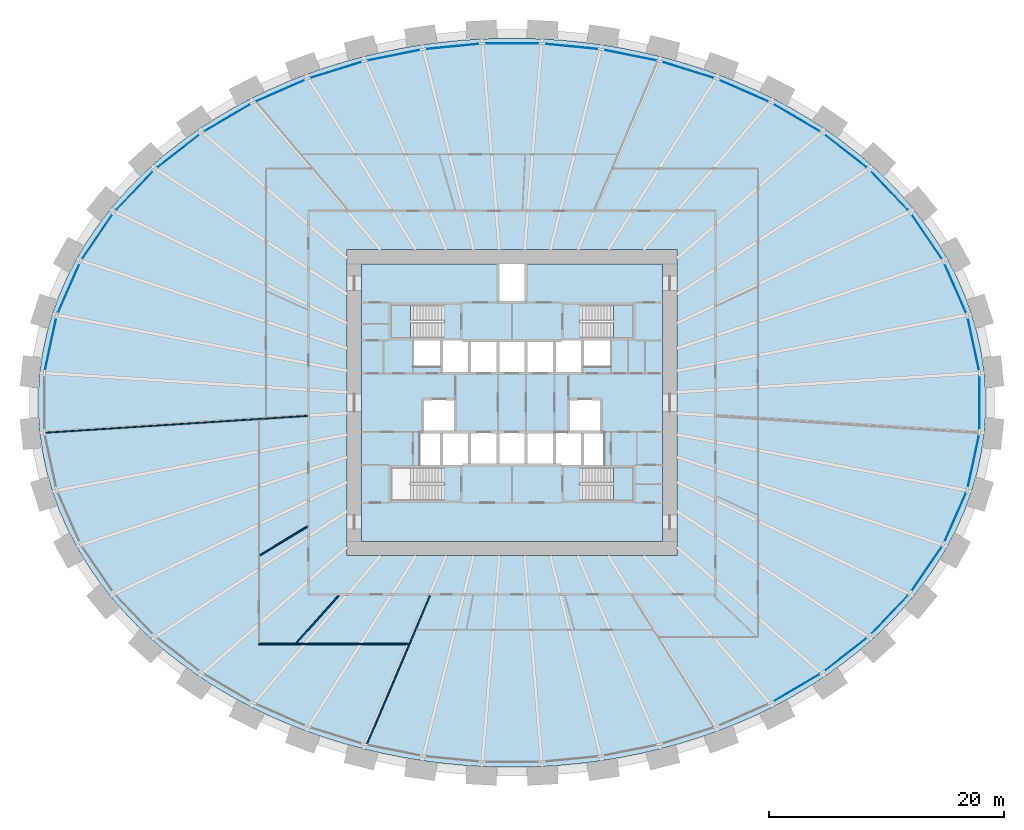
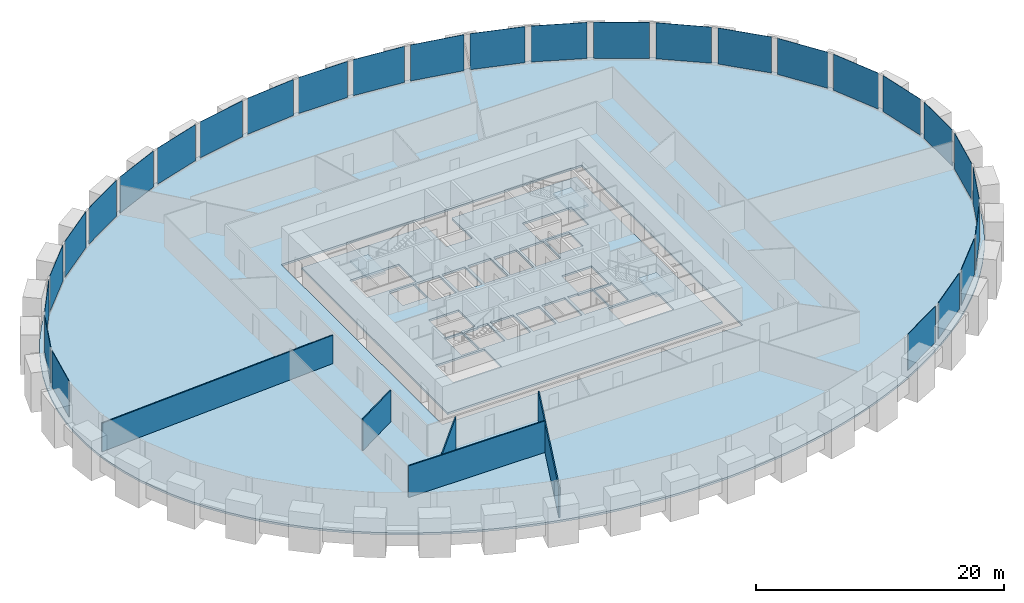
# One storey, part 5 of 10: 28 plates, 5 slabs, 5 walls, 4 elements without a shape of their own.
"""IFC4 building model written with IfcOpenShell, lengths in metres."""

from ifc_helpers import new_model, si_unit, direction, frame, frame_2d, origin, origin_2d, place, context, subcontext, project, spatial, polyline, rectangle, outline, extrude, source, transform, mapped, material, layer, layer_set, type_object, element, aggregate, save


model = new_model("IFC4")

# Units and contexts
model_context = context("Model", 3, precision=1e-05, world=origin(), true_north=direction((0.0, 1.0)))
body_context = subcontext(model_context, "Body", "Model", "MODEL_VIEW")
ifc_project = project(units=[si_unit("LENGTHUNIT", "METRE"), si_unit("AREAUNIT", "SQUARE_METRE"), si_unit("VOLUMEUNIT", "CUBIC_METRE"), si_unit("PLANEANGLEUNIT", "RADIAN"), si_unit("MASSUNIT", "GRAM", prefix="KILO")], contexts=[model_context])

# Site, building, storey
site_placement = place(None, origin())
site = spatial("IfcSite", under=ifc_project, at=site_placement, CompositionType="ELEMENT")
building_placement = place(site_placement, origin())
building = spatial("IfcBuilding", under=site, at=building_placement, Name="Embergate Tower", CompositionType="ELEMENT")
storey_placement = place(building_placement, frame((0.0, 0.0, 81.5)))
storey = spatial("IfcBuildingStorey", under=building, at=storey_placement, Name="L16", CompositionType="ELEMENT", Elevation=81.5)

# Slab
ifc_material_1 = material(Name="Concrete C40", Category="concrete")
ifc_layer_1 = layer(ifc_material_1, 0.199951171875)
ifc_layer_set_1 = layer_set([ifc_layer_1], Name="Concrete C40")
slab_type_1 = type_object("IfcSlabType", Name="Composite floor slab C40 200", PredefinedType="FLOOR", material=ifc_layer_set_1)
shared_shape_1 = source(origin(), body_context, "Body", "SweptSolid", [
    extrude(outline(polyline([(0.0, 0.0), (1.7021484375, 0.0), (3.404052734375, 0.054931640625), (5.10595703125, 0.166015625), (6.801025390625, 0.3330078125), (8.485107421875, 0.554931640625), (10.171142578125, 0.833984375), (11.841064453125, 1.1689453125), (13.489990234375, 1.558837890625), (15.14306640625, 2.010009765625), (16.76904296875, 2.515869140625), (18.364013671875, 3.076904296875), (19.962158203125, 3.704833984375), (21.52197265625, 4.386962890625), (23.041015625, 5.121826171875), (24.55908203125, 5.931884765625), (26.026123046875, 6.794921875), (27.441162109375, 7.708984375), (28.84619140625, 8.705810546875), (30.18798828125, 9.7529296875), (31.464111328125, 10.848876953125), (32.716064453125, 12.033935546875), (33.89111328125, 13.265869140625), (34.985107421875, 14.541015625), (36.03515625, 15.908935546875), (36.9921875, 17.31591796875), (37.85400390625, 18.759033203125), (38.64404296875, 20.286865234375), (39.3271484375, 21.844970703125), (39.902099609375, 23.428955078125), (40.376953125, 25.074951171875), (40.735107421875, 26.73779296875), (40.97412109375, 28.412841796875), (41.09619140625, 30.11181640625), (41.09619140625, 31.81201171875), (40.97412109375, 33.510986328125), (40.735107421875, 35.18603515625), (40.376953125, 36.848876953125), (39.902099609375, 38.494873046875), (39.3271484375, 40.078857421875), (38.64404296875, 41.636962890625), (37.85400390625, 43.164794921875), (36.9921875, 44.60791015625), (36.03515625, 46.014892578125), (34.985107421875, 47.3828125), (33.89111328125, 48.657958984375), (32.716064453125, 49.889892578125), (31.464111328125, 51.074951171875), (30.18798828125, 52.1708984375), (28.84619140625, 53.218017578125), (27.441162109375, 54.21484375), (26.026123046875, 55.12890625), (24.55908203125, 55.991943359375), (23.041015625, 56.802001953125), (21.52197265625, 57.536865234375), (19.962158203125, 58.218994140625), (18.364013671875, 58.846923828125), (16.76904296875, 59.407958984375), (15.14306640625, 59.913818359375), (13.489990234375, 60.364990234375), (11.841064453125, 60.7548828125), (10.171142578125, 61.08984375), (8.485107421875, 61.368896484375), (6.801025390625, 61.5908203125), (5.10595703125, 61.7578125), (3.404052734375, 61.868896484375), (1.7021484375, 61.923828125), (0.0, 61.923828125), (-1.701904296875, 61.868896484375), (-3.40380859375, 61.7578125), (-5.098876953125, 61.5908203125), (-6.782958984375, 61.368896484375), (-8.468994140625, 61.08984375), (-10.138916015625, 60.7548828125), (-11.787841796875, 60.364990234375), (-13.44091796875, 59.913818359375), (-15.06689453125, 59.407958984375), (-16.661865234375, 58.846923828125), (-18.260009765625, 58.218994140625), (-19.81982421875, 57.536865234375), (-21.3388671875, 56.802001953125), (-22.85693359375, 55.991943359375), (-24.323974609375, 55.12890625), (-25.739013671875, 54.21484375), (-27.14404296875, 53.218017578125), (-28.48583984375, 52.1708984375), (-29.761962890625, 51.074951171875), (-31.013916015625, 49.889892578125), (-32.18896484375, 48.657958984375), (-33.282958984375, 47.3828125), (-34.3330078125, 46.014892578125), (-35.2900390625, 44.60791015625), (-36.15185546875, 43.164794921875), (-36.94189453125, 41.636962890625), (-37.625, 40.078857421875), (-38.199951171875, 38.494873046875), (-38.6748046875, 36.848876953125), (-39.032958984375, 35.18603515625), (-39.27197265625, 33.510986328125), (-39.39404296875, 31.81201171875), (-39.39404296875, 30.11181640625), (-39.27197265625, 28.412841796875), (-39.032958984375, 26.73779296875), (-38.6748046875, 25.074951171875), (-38.199951171875, 23.428955078125), (-37.625, 21.844970703125), (-36.94189453125, 20.286865234375), (-36.15185546875, 18.759033203125), (-35.2900390625, 17.31591796875), (-34.3330078125, 15.908935546875), (-33.282958984375, 14.541015625), (-32.18896484375, 13.265869140625), (-31.013916015625, 12.033935546875), (-29.761962890625, 10.848876953125), (-28.48583984375, 9.7529296875), (-27.14404296875, 8.705810546875), (-25.739013671875, 7.708984375), (-24.323974609375, 6.794921875), (-22.85693359375, 5.931884765625), (-21.3388671875, 5.121826171875), (-19.81982421875, 4.386962890625), (-18.260009765625, 3.704833984375), (-16.661865234375, 3.076904296875), (-15.06689453125, 2.515869140625), (-13.44091796875, 2.010009765625), (-11.787841796875, 1.558837890625), (-10.138916015625, 1.1689453125), (-8.468994140625, 0.833984375), (-6.782958984375, 0.554931640625), (-5.098876953125, 0.3330078125), (-3.40380859375, 0.166015625), (-1.701904296875, 0.054931640625), (0.0, 0.0)]), holes=[polyline([(-13.14892578125, 17.9619140625), (-13.14892578125, 43.9619140625), (14.85107421875, 43.9619140625), (14.85107421875, 17.9619140625), (-13.14892578125, 17.9619140625)])]), origin(), (0.0, 0.0, 1.0), 0.199951171875),
])
slab_1_placement = place(storey_placement, frame((-0.85107421875, -30.9619140625, -0.199951171875)))
element("IfcSlab", 1, at=slab_1_placement, inside=storey, type_object=slab_type_1, Name="SLB-L16-00", PredefinedType="FLOOR", context=body_context, shape_type="MappedRepresentation", body=[
    mapped(shared_shape_1, transform((0.0, 0.0, 0.0))),
])

# Curtain wall, plates
ifc_material_2 = material(Name="Aluminium and glass", Category="aluminium")
curtain_wall_type = type_object("IfcCurtainWallType", Name="Recessed office glazing", PredefinedType="NOTDEFINED", material=ifc_material_2)
curtain_wall_placement = place(storey_placement, origin())
curtain_wall = element("IfcCurtainWall", 2, at=curtain_wall_placement, inside=storey, type_object=curtain_wall_type, Name="Recessed office glazing ring", ObjectType="RECESSED OFFICE GLAZING", PredefinedType="USERDEFINED")
ifc_material_3 = material(Name="Triple glazing, low-emissivity coating", Category="glass")
ifc_layer_2 = layer(ifc_material_3, 0.035888671875)
ifc_layer_set_2 = layer_set([ifc_layer_2], Name="Triple glazing, low-emissivity coating")
plate_type = type_object("IfcPlateType", Name="Office glazing unit", PredefinedType="CURTAIN_PANEL", material=ifc_layer_set_2)
shared_shape_2 = source(origin(), body_context, "Body", "SweptSolid", [
    extrude(rectangle(XDim=4.529296875, YDim=0.035888671875, at=origin_2d()), origin(), (0.0, 0.0, 1.0), 3.550048828125),
])
plate_1_placement = place(storey_placement, frame((28.36181640625, 21.376953125, 0.14990234375), z_axis=(0.0, 0.0, 1.0), x_axis=(-0.788321193094, 0.615263924279, 0.0)))
plate_1 = element("IfcPlate", 3, at=plate_1_placement, type_object=plate_type, Name="CW panel 5.1", PredefinedType="CURTAIN_PANEL", context=body_context, shape_type="MappedRepresentation", body=[
    mapped(shared_shape_2, transform((0.0, 0.0, 0.0))),
])
plate_2_placement = place(storey_placement, frame((-28.36181640625, 21.376953125, 0.14990234375), z_axis=(0.0, 0.0, 1.0), x_axis=(-0.788321193094, -0.615263924279, 0.0)))
plate_2 = element("IfcPlate", 4, at=plate_2_placement, type_object=plate_type, Name="CW panel 17.1", PredefinedType="CURTAIN_PANEL", context=body_context, shape_type="MappedRepresentation", body=[
    mapped(shared_shape_2, transform((0.0, 0.0, 0.0))),
])
plate_3_placement = place(storey_placement, frame((28.36181640625, -21.376953125, 0.14990234375), z_axis=(0.0, 0.0, 1.0), x_axis=(0.788321193094, 0.615263924279, 0.0)))
plate_3 = element("IfcPlate", 5, at=plate_3_placement, type_object=plate_type, Name="CW panel 39.1", PredefinedType="CURTAIN_PANEL", context=body_context, shape_type="MappedRepresentation", body=[
    mapped(shared_shape_2, transform((0.0, 0.0, 0.0))),
])
shared_shape_3 = source(origin(), body_context, "Body", "SweptSolid", [
    extrude(rectangle(XDim=4.4970703125, YDim=0.035888671875, at=origin_2d()), origin(), (0.0, 0.0, 1.0), 3.550048828125),
])
plate_4_placement = place(storey_placement, frame((39.2080078125, 4.959716796875, 0.14990234375), z_axis=(0.0, 0.0, 1.0), x_axis=(-0.210398391177, 0.97761573074, 0.0)))
plate_4 = element("IfcPlate", 6, at=plate_4_placement, type_object=plate_type, Name="CW panel 1.1", PredefinedType="CURTAIN_PANEL", context=body_context, shape_type="MappedRepresentation", body=[
    mapped(shared_shape_3, transform((0.0, 0.0, 0.0))),
])
plate_5_placement = place(storey_placement, frame((-39.2080078125, 4.959716796875, 0.14990234375), z_axis=(0.0, 0.0, 1.0), x_axis=(-0.210398391177, -0.97761573074, 0.0)))
plate_5 = element("IfcPlate", 7, at=plate_5_placement, type_object=plate_type, Name="CW panel 21.1", PredefinedType="CURTAIN_PANEL", context=body_context, shape_type="MappedRepresentation", body=[
    mapped(shared_shape_3, transform((0.0, 0.0, 0.0))),
])
plate_6_placement = place(storey_placement, frame((39.2080078125, -4.959716796875, 0.14990234375), z_axis=(0.0, 0.0, 1.0), x_axis=(0.210398391177, 0.97761573074, 0.0)))
plate_6 = element("IfcPlate", 8, at=plate_6_placement, type_object=plate_type, Name="CW panel 43.1", PredefinedType="CURTAIN_PANEL", context=body_context, shape_type="MappedRepresentation", body=[
    mapped(shared_shape_3, transform((0.0, 0.0, 0.0))),
])
shared_shape_4 = source(origin(), body_context, "Body", "SweptSolid", [
    extrude(rectangle(XDim=4.504150390625, YDim=0.035888671875, at=origin_2d()), origin(), (0.0, 0.0, 1.0), 3.550048828125),
])
plate_7_placement = place(storey_placement, frame((37.671142578125, 9.71240234375, 0.14990234375), z_axis=(0.0, 0.0, 1.0), x_axis=(-0.401652101157, 0.91579232888, 0.0)))
plate_7 = element("IfcPlate", 9, at=plate_7_placement, type_object=plate_type, Name="CW panel 2.1", PredefinedType="CURTAIN_PANEL", context=body_context, shape_type="MappedRepresentation", body=[
    mapped(shared_shape_4, transform((0.0, 0.0, 0.0))),
])
plate_8_placement = place(storey_placement, frame((-37.671142578125, 9.71240234375, 0.14990234375), z_axis=(0.0, 0.0, 1.0), x_axis=(-0.401652101157, -0.91579232888, 0.0)))
plate_8 = element("IfcPlate", 10, at=plate_8_placement, type_object=plate_type, Name="CW panel 20.1", PredefinedType="CURTAIN_PANEL", context=body_context, shape_type="MappedRepresentation", body=[
    mapped(shared_shape_4, transform((0.0, 0.0, 0.0))),
])
plate_9_placement = place(storey_placement, frame((37.671142578125, -9.71240234375, 0.14990234375), z_axis=(0.0, 0.0, 1.0), x_axis=(0.401652101157, 0.91579232888, 0.0)))
plate_9 = element("IfcPlate", 11, at=plate_9_placement, type_object=plate_type, Name="CW panel 42.1", PredefinedType="CURTAIN_PANEL", context=body_context, shape_type="MappedRepresentation", body=[
    mapped(shared_shape_4, transform((0.0, 0.0, 0.0))),
])
shared_shape_5 = source(origin(), body_context, "Body", "SweptSolid", [
    extrude(rectangle(XDim=4.51318359375, YDim=0.035888671875, at=origin_2d()), origin(), (0.0, 0.0, 1.0), 3.550048828125),
])
plate_10_placement = place(storey_placement, frame((35.246826171875, 14.093994140625, 0.14990234375), z_axis=(0.0, 0.0, 1.0), x_axis=(-0.562343185136, 0.826903949762, 0.0)))
plate_10 = element("IfcPlate", 12, at=plate_10_placement, type_object=plate_type, Name="CW panel 3.1", PredefinedType="CURTAIN_PANEL", context=body_context, shape_type="MappedRepresentation", body=[
    mapped(shared_shape_5, transform((0.0, 0.0, 0.0))),
])
plate_11_placement = place(storey_placement, frame((-35.246826171875, 14.093994140625, 0.14990234375), z_axis=(0.0, 0.0, 1.0), x_axis=(-0.562343185136, -0.826903949762, 0.0)))
plate_11 = element("IfcPlate", 13, at=plate_11_placement, type_object=plate_type, Name="CW panel 19.1", PredefinedType="CURTAIN_PANEL", context=body_context, shape_type="MappedRepresentation", body=[
    mapped(shared_shape_5, transform((0.0, 0.0, 0.0))),
])
plate_12_placement = place(storey_placement, frame((35.246826171875, -14.093994140625, 0.14990234375), z_axis=(0.0, 0.0, 1.0), x_axis=(0.562343185136, 0.826903949762, 0.0)))
plate_12 = element("IfcPlate", 14, at=plate_12_placement, type_object=plate_type, Name="CW panel 41.1", PredefinedType="CURTAIN_PANEL", context=body_context, shape_type="MappedRepresentation", body=[
    mapped(shared_shape_5, transform((0.0, 0.0, 0.0))),
])
shared_shape_6 = source(origin(), body_context, "Body", "SweptSolid", [
    extrude(rectangle(XDim=4.52197265625, YDim=0.035888671875, at=origin_2d()), origin(), (0.0, 0.0, 1.0), 3.550048828125),
])
plate_13_placement = place(storey_placement, frame((32.092041015625, 17.999267578125, 0.14990234375), z_axis=(0.0, 0.0, 1.0), x_axis=(-0.690135047526, 0.723680603703, 0.0)))
plate_13 = element("IfcPlate", 15, at=plate_13_placement, type_object=plate_type, Name="CW panel 4.1", PredefinedType="CURTAIN_PANEL", context=body_context, shape_type="MappedRepresentation", body=[
    mapped(shared_shape_6, transform((0.0, 0.0, 0.0))),
])
plate_14_placement = place(storey_placement, frame((-32.092041015625, 17.999267578125, 0.14990234375), z_axis=(0.0, 0.0, 1.0), x_axis=(-0.690135047526, -0.723680603703, 0.0)))
plate_14 = element("IfcPlate", 16, at=plate_14_placement, type_object=plate_type, Name="CW panel 18.1", PredefinedType="CURTAIN_PANEL", context=body_context, shape_type="MappedRepresentation", body=[
    mapped(shared_shape_6, transform((0.0, 0.0, 0.0))),
])
plate_15_placement = place(storey_placement, frame((32.092041015625, -17.999267578125, 0.14990234375), z_axis=(0.0, 0.0, 1.0), x_axis=(0.690135047526, 0.723680603703, 0.0)))
plate_15 = element("IfcPlate", 17, at=plate_15_placement, type_object=plate_type, Name="CW panel 40.1", PredefinedType="CURTAIN_PANEL", context=body_context, shape_type="MappedRepresentation", body=[
    mapped(shared_shape_6, transform((0.0, 0.0, 0.0))),
])
shared_shape_7 = source(origin(), body_context, "Body", "SweptSolid", [
    extrude(rectangle(XDim=4.535400390625, YDim=0.035888671875, at=origin_2d()), origin(), (0.0, 0.0, 1.0), 3.550048828125),
])
plate_16_placement = place(storey_placement, frame((24.192626953125, 24.21142578125, 0.14990234375), z_axis=(0.0, 0.0, 1.0), x_axis=(-0.862053167811, 0.50681785275, 0.0)))
plate_16 = element("IfcPlate", 18, at=plate_16_placement, type_object=plate_type, Name="CW panel 6.1", PredefinedType="CURTAIN_PANEL", context=body_context, shape_type="MappedRepresentation", body=[
    mapped(shared_shape_7, transform((0.0, 0.0, 0.0))),
])
plate_17_placement = place(storey_placement, frame((-24.192626953125, 24.21142578125, 0.14990234375), z_axis=(0.0, 0.0, 1.0), x_axis=(-0.862053167811, -0.50681785275, 0.0)))
plate_17 = element("IfcPlate", 19, at=plate_17_placement, type_object=plate_type, Name="CW panel 16.1", PredefinedType="CURTAIN_PANEL", context=body_context, shape_type="MappedRepresentation", body=[
    mapped(shared_shape_7, transform((0.0, 0.0, 0.0))),
])
plate_18_placement = place(storey_placement, frame((24.192626953125, -24.21142578125, 0.14990234375), z_axis=(0.0, 0.0, 1.0), x_axis=(0.862053167811, 0.50681785275, 0.0)))
plate_18 = element("IfcPlate", 20, at=plate_18_placement, type_object=plate_type, Name="CW panel 38.1", PredefinedType="CURTAIN_PANEL", context=body_context, shape_type="MappedRepresentation", body=[
    mapped(shared_shape_7, transform((0.0, 0.0, 0.0))),
])
shared_shape_8 = source(origin(), body_context, "Body", "SweptSolid", [
    extrude(rectangle(XDim=4.5400390625, YDim=0.035888671875, at=origin_2d()), origin(), (0.0, 0.0, 1.0), 3.550048828125),
])
plate_19_placement = place(storey_placement, frame((19.6953125, 26.506103515625, 0.14990234375), z_axis=(0.0, 0.0, 1.0), x_axis=(-0.916236211741, 0.400638495772, 0.0)))
plate_19 = element("IfcPlate", 21, at=plate_19_placement, type_object=plate_type, Name="CW panel 7.1", PredefinedType="CURTAIN_PANEL", context=body_context, shape_type="MappedRepresentation", body=[
    mapped(shared_shape_8, transform((0.0, 0.0, 0.0))),
])
plate_20_placement = place(storey_placement, frame((-19.6953125, 26.506103515625, 0.14990234375), z_axis=(0.0, 0.0, 1.0), x_axis=(-0.916236211741, -0.400638495772, 0.0)))
plate_20 = element("IfcPlate", 22, at=plate_20_placement, type_object=plate_type, Name="CW panel 15.1", PredefinedType="CURTAIN_PANEL", context=body_context, shape_type="MappedRepresentation", body=[
    mapped(shared_shape_8, transform((0.0, 0.0, 0.0))),
])
shared_shape_9 = source(origin(), body_context, "Body", "SweptSolid", [
    extrude(rectangle(XDim=4.54345703125, YDim=0.035888671875, at=origin_2d()), origin(), (0.0, 0.0, 1.0), 3.550048828125),
])
plate_21_placement = place(storey_placement, frame((14.960205078125, 28.272705078125, 0.14990234375), z_axis=(0.0, 0.0, 1.0), x_axis=(-0.954772217174, 0.297338213676, 0.0)))
plate_21 = element("IfcPlate", 23, at=plate_21_placement, type_object=plate_type, Name="CW panel 8.1", PredefinedType="CURTAIN_PANEL", context=body_context, shape_type="MappedRepresentation", body=[
    mapped(shared_shape_9, transform((0.0, 0.0, 0.0))),
])
plate_22_placement = place(storey_placement, frame((-14.960205078125, 28.272705078125, 0.14990234375), z_axis=(0.0, 0.0, 1.0), x_axis=(-0.954772217174, -0.297338213676, 0.0)))
plate_22 = element("IfcPlate", 24, at=plate_22_placement, type_object=plate_type, Name="CW panel 14.1", PredefinedType="CURTAIN_PANEL", context=body_context, shape_type="MappedRepresentation", body=[
    mapped(shared_shape_9, transform((0.0, 0.0, 0.0))),
])
shared_shape_10 = source(origin(), body_context, "Body", "SweptSolid", [
    extrude(rectangle(XDim=4.545654296875, YDim=0.035888671875, at=origin_2d()), origin(), (0.0, 0.0, 1.0), 3.550048828125),
])
plate_23_placement = place(storey_placement, frame((10.0595703125, 29.5234375, 0.14990234375), z_axis=(0.0, 0.0, 1.0), x_axis=(-0.980475907409, 0.196639250889, 0.0)))
plate_23 = element("IfcPlate", 25, at=plate_23_placement, type_object=plate_type, Name="CW panel 9.1", PredefinedType="CURTAIN_PANEL", context=body_context, shape_type="MappedRepresentation", body=[
    mapped(shared_shape_10, transform((0.0, 0.0, 0.0))),
])
plate_24_placement = place(storey_placement, frame((-10.0595703125, 29.5234375, 0.14990234375), z_axis=(0.0, 0.0, 1.0), x_axis=(-0.980475907409, -0.196639250889, 0.0)))
plate_24 = element("IfcPlate", 26, at=plate_24_placement, type_object=plate_type, Name="CW panel 13.1", PredefinedType="CURTAIN_PANEL", context=body_context, shape_type="MappedRepresentation", body=[
    mapped(shared_shape_10, transform((0.0, 0.0, 0.0))),
])
shared_shape_11 = source(origin(), body_context, "Body", "SweptSolid", [
    extrude(rectangle(XDim=4.546875, YDim=0.035888671875, at=origin_2d()), origin(), (0.0, 0.0, 1.0), 3.550048828125),
])
plate_25_placement = place(storey_placement, frame((5.054931640625, 30.269287109375, 0.14990234375), z_axis=(0.0, 0.0, 1.0), x_axis=(-0.995203184788, 0.097829550688, 0.0)))
plate_25 = element("IfcPlate", 27, at=plate_25_placement, type_object=plate_type, Name="CW panel 10.1", PredefinedType="CURTAIN_PANEL", context=body_context, shape_type="MappedRepresentation", body=[
    mapped(shared_shape_11, transform((0.0, 0.0, 0.0))),
])
plate_26_placement = place(storey_placement, frame((-5.054931640625, 30.269287109375, 0.14990234375), z_axis=(0.0, 0.0, 1.0), x_axis=(-0.995203184788, -0.097829550688, 0.0)))
plate_26 = element("IfcPlate", 28, at=plate_26_placement, type_object=plate_type, Name="CW panel 12.1", PredefinedType="CURTAIN_PANEL", context=body_context, shape_type="MappedRepresentation", body=[
    mapped(shared_shape_11, transform((0.0, 0.0, 0.0))),
])
shared_shape_12 = source(origin(), body_context, "Body", "SweptSolid", [
    extrude(rectangle(XDim=4.54736328125, YDim=0.035888671875, at=origin_2d()), origin(), (0.0, 0.0, 1.0), 3.550048828125),
])
plate_27_placement = place(storey_placement, frame((0.0, 30.51708984375, 0.14990234375), z_axis=(0.0, 0.0, 1.0), x_axis=(-1.0, 0.0, 0.0)))
plate_27 = element("IfcPlate", 29, at=plate_27_placement, type_object=plate_type, Name="CW panel 11.1", PredefinedType="CURTAIN_PANEL", context=body_context, shape_type="MappedRepresentation", body=[
    mapped(shared_shape_12, transform((0.0, 0.0, 0.0))),
])
shared_shape_13 = source(origin(), body_context, "Body", "SweptSolid", [
    extrude(rectangle(XDim=4.494384765625, YDim=0.035888671875, at=origin_2d()), origin(), (0.0, 0.0, 1.0), 3.550048828125),
])
plate_28_placement = place(storey_placement, frame((39.735595703125, 0.0, 0.14990234375), z_axis=(0.0, 0.0, 1.0), x_axis=(0.0, 1.0, 0.0)))
plate_28 = element("IfcPlate", 30, at=plate_28_placement, type_object=plate_type, Name="CW panel 44.1", PredefinedType="CURTAIN_PANEL", context=body_context, shape_type="MappedRepresentation", body=[
    mapped(shared_shape_13, transform((0.0, 0.0, 0.0))),
])
aggregate(curtain_wall, [plate_4, plate_7, plate_10, plate_13, plate_1, plate_16, plate_19, plate_21, plate_23, plate_25, plate_27, plate_26, plate_24, plate_22, plate_20, plate_17, plate_2, plate_14, plate_11, plate_8, plate_5, plate_18, plate_3, plate_15, plate_12, plate_9, plate_6, plate_28])

# Stair, slab
ifc_material_4 = material(Name="Exit stair")
stair_type = type_object("IfcStairType", Name="Exit stair", PredefinedType="HALF_TURN_STAIR", material=ifc_material_4)
stair_1_placement = place(storey_placement, origin())
stair_1 = element("IfcStair", 31, at=stair_1_placement, inside=storey, type_object=stair_type, Name="L16 Exit stair 1", PredefinedType="HALF_TURN_STAIR")
ifc_layer_3 = layer(ifc_material_1, 0.199951171875)
ifc_layer_set_3 = layer_set([ifc_layer_3], Name="Concrete C40")
slab_type_2 = type_object("IfcSlabType", Name="Stair landing reinforced concrete", PredefinedType="LANDING", material=ifc_layer_set_3)
shared_shape_14 = source(origin(), body_context, "Body", "SweptSolid", [
    extrude(outline(polyline([(0.0, 0.0), (1.68994140625, 0.0), (1.68994140625, 2.800048828125), (0.0, 2.800048828125), (0.0, 0.0)])), origin(), (0.0, 0.0, 1.0), 0.199951171875),
])
slab_2_placement = place(storey_placement, frame((-10.300048828125, 5.5, 1.75)))
slab_2 = element("IfcSlab", 32, at=slab_2_placement, type_object=slab_type_2, Name="ST1 landing 1", PredefinedType="LANDING", context=body_context, shape_type="MappedRepresentation", body=[
    mapped(shared_shape_14, transform((0.0, 0.0, 0.0))),
])
aggregate(stair_1, [slab_2])

stair_2_placement = place(storey_placement, origin())
stair_2 = element("IfcStair", 33, at=stair_2_placement, inside=storey, type_object=stair_type, Name="L16 Exit stair 2", PredefinedType="HALF_TURN_STAIR")
slab_3_placement = place(storey_placement, frame((8.610107421875, 5.5, 1.75)))
slab_3 = element("IfcSlab", 34, at=slab_3_placement, type_object=slab_type_2, Name="ST2 landing 1", PredefinedType="LANDING", context=body_context, shape_type="MappedRepresentation", body=[
    mapped(shared_shape_14, transform((0.0, 0.0, 0.0))),
])
aggregate(stair_2, [slab_3])

stair_3_placement = place(storey_placement, origin())
stair_3 = element("IfcStair", 35, at=stair_3_placement, inside=storey, type_object=stair_type, Name="L16 Exit stair 4", PredefinedType="HALF_TURN_STAIR")
slab_4_placement = place(storey_placement, frame((8.610107421875, -8.300048828125, 1.75)))
slab_4 = element("IfcSlab", 36, at=slab_4_placement, type_object=slab_type_2, Name="ST4 landing 1", PredefinedType="LANDING", context=body_context, shape_type="MappedRepresentation", body=[
    mapped(shared_shape_14, transform((0.0, 0.0, 0.0))),
])
aggregate(stair_3, [slab_4])

# Slab
ifc_layer_4 = layer(ifc_material_1, 0.199951171875)
ifc_layer_set_4 = layer_set([ifc_layer_4], Name="Concrete C40")
slab_type_3 = type_object("IfcSlabType", Name="Core floor slab 200 reinforced concrete", PredefinedType="FLOOR", material=ifc_layer_set_4)
shared_shape_15 = source(origin(), body_context, "Body", "SweptSolid", [
    extrude(outline(polyline([(0.0, 0.0), (25.60009765625, 0.0), (25.60009765625, 23.60009765625), (14.0, 23.60009765625), (14.0, 20.300048828125), (11.60009765625, 20.300048828125), (11.60009765625, 23.60009765625), (0.0, 23.60009765625), (0.0, 0.0)]), holes=[polyline([(2.5, 3.5), (2.5, 6.300048828125), (7.0400390625, 6.300048828125), (7.0400390625, 3.5), (2.5, 3.5)]), polyline([(18.56005859375, 3.5), (18.56005859375, 6.300048828125), (23.10009765625, 6.300048828125), (23.10009765625, 3.5), (18.56005859375, 3.5)]), polyline([(5.0, 6.5), (5.0, 9.300048828125), (5.074951171875, 9.300048828125), (5.074951171875, 9.175048828125), (6.675048828125, 9.175048828125), (6.675048828125, 6.5), (5.0, 6.5)]), polyline([(6.800048828125, 6.5), (6.800048828125, 9.175048828125), (8.125, 9.175048828125), (8.125, 9.300048828125), (9.074951171875, 9.300048828125), (9.074951171875, 6.5), (6.800048828125, 6.5)]), polyline([(9.324951171875, 6.5), (9.324951171875, 9.300048828125), (11.47509765625, 9.300048828125), (11.47509765625, 6.5), (9.324951171875, 6.5)]), polyline([(11.72509765625, 6.5), (11.72509765625, 9.300048828125), (13.875, 9.300048828125), (13.875, 6.5), (11.72509765625, 6.5)]), polyline([(14.125, 6.5), (14.125, 9.300048828125), (16.275146484375, 9.300048828125), (16.275146484375, 6.5), (14.125, 6.5)]), polyline([(16.525146484375, 6.5), (16.525146484375, 9.300048828125), (17.47509765625, 9.300048828125), (17.47509765625, 9.175048828125), (18.800048828125, 9.175048828125), (18.800048828125, 6.5), (16.525146484375, 6.5)]), polyline([(18.925048828125, 6.5), (18.925048828125, 9.175048828125), (20.525146484375, 9.175048828125), (20.525146484375, 9.300048828125), (20.60009765625, 9.300048828125), (20.60009765625, 6.5), (18.925048828125, 6.5)]), polyline([(5.199951171875, 9.300048828125), (5.199951171875, 12.10009765625), (8.0, 12.10009765625), (8.0, 9.425048828125), (6.675048828125, 9.425048828125), (6.675048828125, 9.300048828125), (5.199951171875, 9.300048828125)]), polyline([(18.925048828125, 9.300048828125), (18.925048828125, 9.425048828125), (17.60009765625, 9.425048828125), (17.60009765625, 12.10009765625), (20.400146484375, 12.10009765625), (20.400146484375, 9.300048828125), (18.925048828125, 9.300048828125)]), polyline([(6.800048828125, 14.300048828125), (6.800048828125, 17.10009765625), (9.074951171875, 17.10009765625), (9.074951171875, 14.300048828125), (6.800048828125, 14.300048828125)]), polyline([(9.324951171875, 14.300048828125), (9.324951171875, 17.10009765625), (11.47509765625, 17.10009765625), (11.47509765625, 14.300048828125), (9.324951171875, 14.300048828125)]), polyline([(11.72509765625, 14.300048828125), (11.72509765625, 17.10009765625), (13.875, 17.10009765625), (13.875, 14.300048828125), (11.72509765625, 14.300048828125)]), polyline([(14.125, 14.300048828125), (14.125, 17.10009765625), (16.275146484375, 17.10009765625), (16.275146484375, 14.300048828125), (14.125, 14.300048828125)]), polyline([(16.525146484375, 14.300048828125), (16.525146484375, 17.10009765625), (18.800048828125, 17.10009765625), (18.800048828125, 14.300048828125), (16.525146484375, 14.300048828125)]), polyline([(4.400146484375, 14.900146484375), (4.400146484375, 17.10009765625), (6.675048828125, 17.10009765625), (6.675048828125, 14.900146484375), (4.400146484375, 14.900146484375)]), polyline([(18.925048828125, 14.900146484375), (18.925048828125, 17.10009765625), (21.199951171875, 17.10009765625), (21.199951171875, 14.900146484375), (18.925048828125, 14.900146484375)]), polyline([(2.5, 17.300048828125), (2.5, 20.10009765625), (7.0400390625, 20.10009765625), (7.0400390625, 17.300048828125), (2.5, 17.300048828125)]), polyline([(18.56005859375, 17.300048828125), (18.56005859375, 20.10009765625), (23.10009765625, 20.10009765625), (23.10009765625, 17.300048828125), (18.56005859375, 17.300048828125)])]), origin(), (0.0, 0.0, 1.0), 0.199951171875),
])
slab_5_placement = place(storey_placement, frame((-12.800048828125, -11.800048828125, -0.199951171875)))
element("IfcSlab", 37, at=slab_5_placement, inside=storey, type_object=slab_type_3, Name="Core floor slab", PredefinedType="FLOOR", context=body_context, shape_type="MappedRepresentation", body=[
    mapped(shared_shape_15, transform((0.0, 0.0, 0.0))),
])

# Walls
ifc_material_5 = material(Name="Partition dry-lined 100")
ifc_layer_5 = layer(ifc_material_5, 0.10009765625)
ifc_layer_set_5 = layer_set([ifc_layer_5], Name="Partition dry-lined 100")
wall_type_1 = type_object("IfcWallType", Name="Partition dry-lined 100", PredefinedType="PARTITIONING", material=ifc_layer_set_5)
shared_shape_16 = source(origin(), body_context, "Body", "SweptSolid", [
    extrude(rectangle(XDim=4.70263671875, YDim=0.10009765625, at=frame_2d((2.351318359375, 0.0))), origin(), (0.0, 0.0, 1.0), 3.10009765625),
])
wall_1_placement = place(storey_placement, frame((-17.40087890625, -10.528076171875, 0.0), z_axis=(0.0, 0.0, 1.0), x_axis=(-0.855526101792, -0.517759682819, 0.0)))
element("IfcWall", 38, at=wall_1_placement, inside=storey, type_object=wall_type_1, Name="IP-1 wall", PredefinedType="PARTITIONING", context=body_context, shape_type="MappedRepresentation", body=[
    mapped(shared_shape_16, transform((0.0, 0.0, 0.0))),
])
shared_shape_17 = source(origin(), body_context, "Body", "SweptSolid", [
    extrude(rectangle(XDim=22.39013671875, YDim=0.10009765625, at=frame_2d((11.195068359375, 0.0))), origin(), (0.0, 0.0, 1.0), 2.800048828125),
])
wall_2_placement = place(storey_placement, frame((-39.718994140625, -2.555908203125, 0.0), z_axis=(0.0, 0.0, 1.0), x_axis=(0.997935511043, 0.064223950351, 0.0)))
element("IfcWall", 39, at=wall_2_placement, inside=storey, type_object=wall_type_1, Name="IP-1 wall", PredefinedType="PARTITIONING", context=body_context, shape_type="MappedRepresentation", body=[
    mapped(shared_shape_17, transform((0.0, 0.0, 0.0))),
])
shared_shape_18 = source(origin(), body_context, "Body", "SweptSolid", [
    extrude(rectangle(XDim=5.38818359375, YDim=0.10009765625, at=frame_2d((2.694091796875, 0.0))), origin(), (0.0, 0.0, 1.0), 3.10009765625),
])
wall_3_placement = place(storey_placement, frame((-14.738037109375, -16.407958984375, 0.0), z_axis=(0.0, 0.0, 1.0), x_axis=(-0.668115646825, -0.744057445677, 0.0)))
element("IfcWall", 40, at=wall_3_placement, inside=storey, type_object=wall_type_1, Name="IP-1 wall", PredefinedType="PARTITIONING", context=body_context, shape_type="MappedRepresentation", body=[
    mapped(shared_shape_18, transform((0.0, 0.0, 0.0))),
])
shared_shape_19 = source(origin(), body_context, "Body", "SweptSolid", [
    extrude(rectangle(XDim=12.701904296875, YDim=0.10009765625, at=frame_2d((6.35107421875, 0.0))), origin(), (0.0, 0.0, 1.0), 3.10009765625),
])
wall_4_placement = place(storey_placement, frame((-8.798095703125, -20.5, 0.0), z_axis=(0.0, 0.0, 1.0), x_axis=(-1.0, 0.0, 0.0)))
element("IfcWall", 41, at=wall_4_placement, inside=storey, type_object=wall_type_1, Name="IP-1 wall", PredefinedType="PARTITIONING", context=body_context, shape_type="MappedRepresentation", body=[
    mapped(shared_shape_19, transform((0.0, 0.0, 0.0))),
])
ifc_material_6 = material(Name="Partition dry-lined 100 wet")
ifc_layer_6 = layer(ifc_material_6, 0.10009765625)
ifc_layer_set_6 = layer_set([ifc_layer_6], Name="Partition dry-lined 100 wet")
wall_type_2 = type_object("IfcWallType", Name="Partition dry-lined 100 wet", PredefinedType="PLUMBINGWALL", material=ifc_layer_set_6)
shared_shape_20 = source(origin(), body_context, "Body", "SweptSolid", [
    extrude(rectangle(XDim=13.76171875, YDim=0.10009765625, at=frame_2d((6.880859375, 0.0))), origin(), (0.0, 0.0, 1.0), 2.89990234375),
])
wall_5_placement = place(storey_placement, frame((-6.97607421875, -16.39501953125, 0.0), z_axis=(0.0, 0.0, 1.0), x_axis=(-0.391517771794, -0.92017054635, 0.0)))
element("IfcWall", 42, at=wall_5_placement, inside=storey, type_object=wall_type_2, Name="IP-1 wall", PredefinedType="PLUMBINGWALL", context=body_context, shape_type="MappedRepresentation", body=[
    mapped(shared_shape_20, transform((0.0, 0.0, 0.0))),
])

save(model, "model.ifc")
